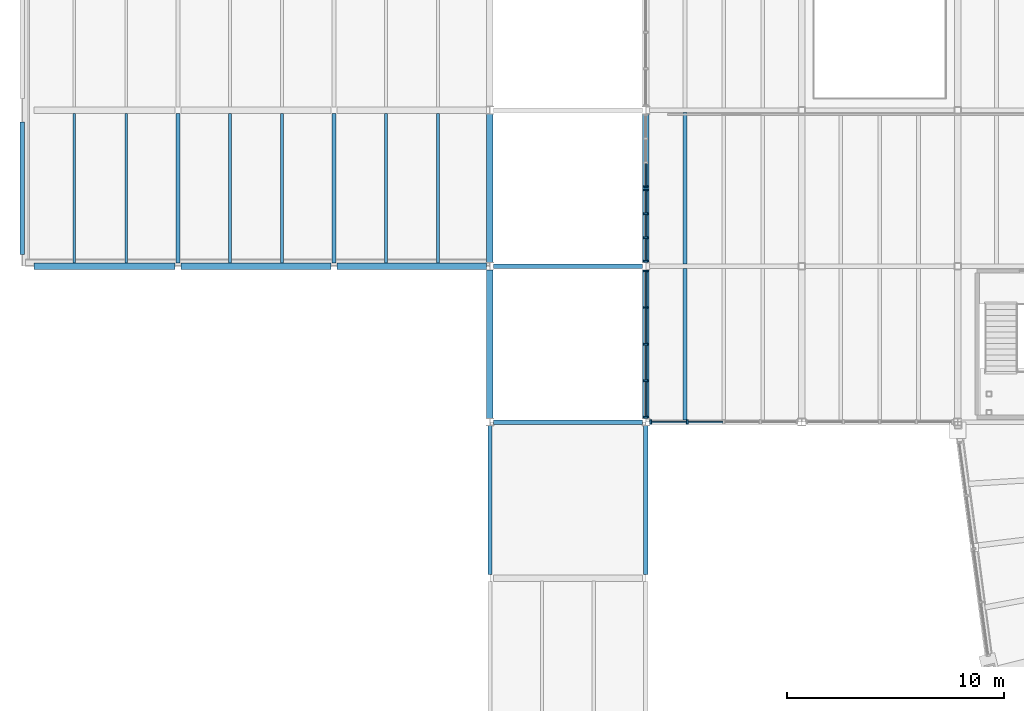
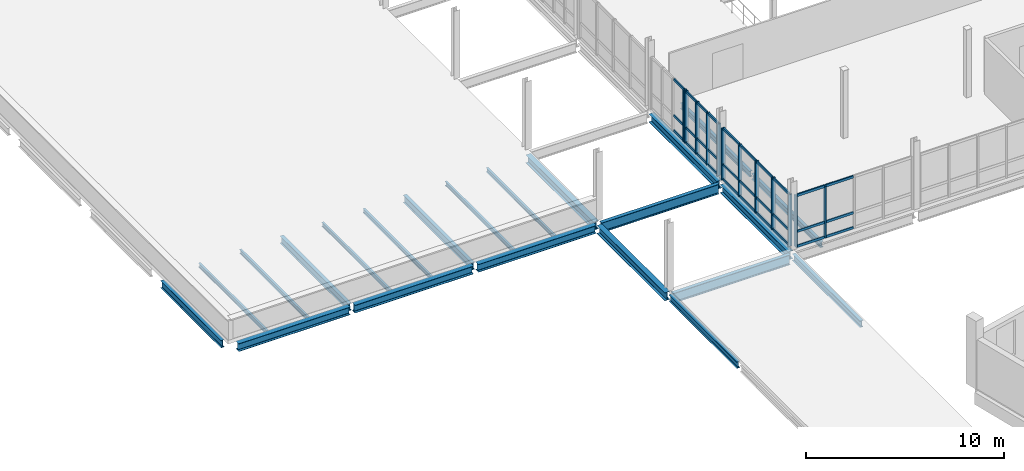
# One storey, part 18 of 72: 42 members, 22 beams, 4 elements without a shape of their own.
"""IFC4 building model written with IfcOpenShell, lengths in metres."""

from ifc_helpers import new_model, si_unit, direction, frame, origin, origin_2d, place, context, subcontext, project, spatial, rectangle, i_section, extrude, material, material_profile, profile_set, type_object, element, aggregate, save


model = new_model("IFC4")

# Units and contexts
model_context = context("Model", 3, precision=1e-05, world=origin(), true_north=direction((0.0, 1.0)))
body_context = subcontext(model_context, "Body", "Model", "MODEL_VIEW")
ifc_project = project(units=[si_unit("LENGTHUNIT", "METRE"), si_unit("AREAUNIT", "SQUARE_METRE"), si_unit("VOLUMEUNIT", "CUBIC_METRE"), si_unit("PLANEANGLEUNIT", "RADIAN"), si_unit("MASSUNIT", "GRAM", prefix="KILO")], contexts=[model_context])

# Site, building, storey
site_placement = place(None, origin())
site = spatial("IfcSite", under=ifc_project, at=site_placement, CompositionType="ELEMENT")
building_placement = place(site_placement, origin())
building = spatial("IfcBuilding", under=site, at=building_placement, Name="Qiaolan Assembly House", CompositionType="ELEMENT")
storey_placement = place(building_placement, frame((0.0, 0.0, 10.199951171875)))
storey = spatial("IfcBuildingStorey", under=building, at=storey_placement, Name="L02", CompositionType="ELEMENT", Elevation=10.199951171875)

# Beams
ifc_material_1 = material(Name="Steel Q355B", Category="steel")
ifc_material_profile_1 = material_profile(ifc_material_1, i_section(OverallWidth=0.300048828125, OverallDepth=0.488037109375, WebThickness=0.010986328125, FlangeThickness=0.01806640625, FilletRadius=0.02001953125, at=origin_2d()), Name="HM 488x300x11x18")
ifc_profile_set_1 = profile_set([ifc_material_profile_1], Name="Steel Q355B")
beam_type_1 = type_object("IfcBeamType", Name="BM-STL-HM488", PredefinedType="BEAM", material=ifc_profile_set_1)
beam_1_placement = place(storey_placement, frame((0.5400390625, 43.199951171875, -0.5439453125), z_axis=(1.0, 0.0, 0.0), x_axis=(0.0, 1.0, 0.0)))
element("IfcBeam", 1, at=beam_1_placement, inside=storey, type_object=beam_type_1, Name="SB-04 beam BMX-PTR-L02-00-00", PredefinedType="BEAM", context=body_context, shape_type="SweptSolid", body=[
    extrude(i_section(OverallWidth=0.300048828125, OverallDepth=0.488037109375, WebThickness=0.010986328125, FlangeThickness=0.01806640625, FilletRadius=0.02001953125, at=origin_2d()), origin(), (0.0, 0.0, 1.0), 6.52001953125),
])
beam_2_placement = place(storey_placement, frame((7.340087890625, 43.199951171875, -0.5439453125), z_axis=(1.0, 0.0, 0.0), x_axis=(0.0, 1.0, 0.0)))
element("IfcBeam", 2, at=beam_2_placement, inside=storey, type_object=beam_type_1, Name="SB-04 beam BMX-PTR-L02-01-00", PredefinedType="BEAM", context=body_context, shape_type="SweptSolid", body=[
    extrude(i_section(OverallWidth=0.300048828125, OverallDepth=0.488037109375, WebThickness=0.010986328125, FlangeThickness=0.01806640625, FilletRadius=0.02001953125, at=origin_2d()), origin(), (0.0, 0.0, 1.0), 6.919921875),
])
beam_3_placement = place(storey_placement, frame((14.5400390625, 43.199951171875, -0.5439453125), z_axis=(1.0, 0.0, 0.0), x_axis=(0.0, 1.0, 0.0)))
element("IfcBeam", 3, at=beam_3_placement, inside=storey, type_object=beam_type_1, Name="SB-04 beam BMX-PTR-L02-02-00", PredefinedType="BEAM", context=body_context, shape_type="SweptSolid", body=[
    extrude(i_section(OverallWidth=0.300048828125, OverallDepth=0.488037109375, WebThickness=0.010986328125, FlangeThickness=0.01806640625, FilletRadius=0.02001953125, at=origin_2d()), origin(), (0.0, 0.0, 1.0), 6.89501953125),
])
ifc_material_profile_2 = material_profile(ifc_material_1, i_section(OverallWidth=0.300048828125, OverallDepth=0.5, WebThickness=0.010986328125, FlangeThickness=0.01806640625, FilletRadius=0.02001953125, at=origin_2d()), Name="HM 500x300x11x18")
ifc_profile_set_2 = profile_set([ifc_material_profile_2], Name="Steel Q355B")
beam_type_2 = type_object("IfcBeamType", Name="BM-STL-HM500", PredefinedType="BEAM", material=ifc_profile_set_2)
beam_4_placement = place(storey_placement, frame((21.60009765625, 36.1650390625, -0.550048828125), z_axis=(0.0, 1.0, 0.0), x_axis=(-1.0, 0.0, 0.0)))
element("IfcBeam", 4, at=beam_4_placement, inside=storey, type_object=beam_type_2, Name="SB-15 beam BMY-HL-L02-00-00", PredefinedType="BEAM", context=body_context, shape_type="SweptSolid", body=[
    extrude(i_section(OverallWidth=0.300048828125, OverallDepth=0.5, WebThickness=0.010986328125, FlangeThickness=0.01806640625, FilletRadius=0.02001953125, at=origin_2d()), origin(), (0.0, 0.0, 1.0), 6.869873046875),
])
beam_5_placement = place(storey_placement, frame((21.60009765625, 43.364990234375, -0.550048828125), z_axis=(0.0, 1.0, 0.0), x_axis=(-1.0, 0.0, 0.0)))
element("IfcBeam", 5, at=beam_5_placement, inside=storey, type_object=beam_type_2, Name="SB-15 beam BMY-HL-L02-00-01", PredefinedType="BEAM", context=body_context, shape_type="SweptSolid", body=[
    extrude(i_section(OverallWidth=0.300048828125, OverallDepth=0.5, WebThickness=0.010986328125, FlangeThickness=0.01806640625, FilletRadius=0.02001953125, at=origin_2d()), origin(), (0.0, 0.0, 1.0), 6.8701171875),
])
beam_6_placement = place(storey_placement, frame((28.800048828125, 36.1650390625, -0.550048828125), z_axis=(0.0, 1.0, 0.0), x_axis=(-1.0, 0.0, 0.0)))
element("IfcBeam", 6, at=beam_6_placement, inside=storey, type_object=beam_type_2, Name="SB-15 beam BMY-HL-L02-01-00", PredefinedType="BEAM", context=body_context, shape_type="SweptSolid", body=[
    extrude(i_section(OverallWidth=0.300048828125, OverallDepth=0.5, WebThickness=0.010986328125, FlangeThickness=0.01806640625, FilletRadius=0.02001953125, at=origin_2d()), origin(), (0.0, 0.0, 1.0), 6.869873046875),
])
beam_7_placement = place(storey_placement, frame((28.800048828125, 43.364990234375, -0.550048828125), z_axis=(0.0, 1.0, 0.0), x_axis=(-1.0, 0.0, 0.0)))
element("IfcBeam", 7, at=beam_7_placement, inside=storey, type_object=beam_type_2, Name="SB-15 beam BMY-HL-L02-01-01", PredefinedType="BEAM", context=body_context, shape_type="SweptSolid", body=[
    extrude(i_section(OverallWidth=0.300048828125, OverallDepth=0.5, WebThickness=0.010986328125, FlangeThickness=0.01806640625, FilletRadius=0.02001953125, at=origin_2d()), origin(), (0.0, 0.0, 1.0), 6.8701171875),
])
ifc_material_profile_3 = material_profile(ifc_material_1, i_section(OverallWidth=0.199951171875, OverallDepth=0.39990234375, WebThickness=0.008056640625, FlangeThickness=0.012939453125, FilletRadius=0.01611328125, at=origin_2d()), Name="HN 400x200x8x13")
ifc_profile_set_3 = profile_set([ifc_material_profile_3], Name="Steel Q355B")
beam_type_3 = type_object("IfcBeamType", Name="BM-STL-HN400", PredefinedType="BEAM", material=ifc_profile_set_3)
for number, where, z_axis, x_axis, name in (
    (8, (21.60009765625, 28.965087890625, -0.425048828125), (0.0, 1.0, 0.0), (-1.0, 0.0, 0.0), "SB-09 beam BMY-PSR-L02-00-04"),
    (9, (28.800048828125, 28.965087890625, -0.425048828125), (0.0, 1.0, 0.0), (-1.0, 0.0, 0.0), "SB-09 beam BMY-PSR-L02-01-04"),
):
    element("IfcBeam", number, at=place(storey_placement, frame(where, z_axis=z_axis, x_axis=x_axis)), inside=storey, type_object=beam_type_3, Name=name, PredefinedType="BEAM", context=body_context, shape_type="SweptSolid", body=[
        extrude(i_section(OverallWidth=0.199951171875, OverallDepth=0.39990234375, WebThickness=0.008056640625, FlangeThickness=0.012939453125, FilletRadius=0.01611328125, at=origin_2d()), origin(), (0.0, 0.0, 1.0), 6.869873046875),
    ])
ifc_material_profile_4 = material_profile(ifc_material_1, i_section(OverallWidth=0.199951171875, OverallDepth=0.449951171875, WebThickness=0.009033203125, FlangeThickness=0.013916015625, FilletRadius=0.01611328125, at=origin_2d()), Name="HN 450x200x9x14")
ifc_profile_set_4 = profile_set([ifc_material_profile_4], Name="Steel Q355B")
beam_type_4 = type_object("IfcBeamType", Name="BM-STL-HN450", PredefinedType="BEAM", material=ifc_profile_set_4)
beam_8_placement = place(storey_placement, frame((0.0, 43.739990234375, -0.52490234375), z_axis=(0.0, 1.0, 0.0), x_axis=(-1.0, 0.0, 0.0)))
element("IfcBeam", 10, at=beam_8_placement, inside=storey, type_object=beam_type_4, Name="SB-07 beam BMY-PTR-L02-00-00", PredefinedType="BEAM", context=body_context, shape_type="SweptSolid", body=[
    extrude(i_section(OverallWidth=0.199951171875, OverallDepth=0.449951171875, WebThickness=0.009033203125, FlangeThickness=0.013916015625, FilletRadius=0.01611328125, at=origin_2d()), origin(), (0.0, 0.0, 1.0), 6.1201171875),
])
for number, where, z_axis, x_axis, name in (
    (11, (7.199951171875, 43.340087890625, -0.52490234375), (0.0, 1.0, 0.0), (-1.0, 0.0, 0.0), "SB-07 beam BMY-PTR-L02-01-00"),
    (12, (14.39990234375, 43.340087890625, -0.52490234375), (0.0, 1.0, 0.0), (-1.0, 0.0, 0.0), "SB-07 beam BMY-PTR-L02-02-00"),
):
    element("IfcBeam", number, at=place(storey_placement, frame(where, z_axis=z_axis, x_axis=x_axis)), inside=storey, type_object=beam_type_4, Name=name, PredefinedType="BEAM", context=body_context, shape_type="SweptSolid", body=[
        extrude(i_section(OverallWidth=0.199951171875, OverallDepth=0.449951171875, WebThickness=0.009033203125, FlangeThickness=0.013916015625, FilletRadius=0.01611328125, at=origin_2d()), origin(), (0.0, 0.0, 1.0), 6.919921875),
    ])
ifc_material_profile_5 = material_profile(ifc_material_1, i_section(OverallWidth=0.2099609375, OverallDepth=0.610107421875, WebThickness=0.010986328125, FlangeThickness=0.01806640625, FilletRadius=0.02001953125, at=origin_2d()), Name="HN 610x210x11x18")
ifc_profile_set_5 = profile_set([ifc_material_profile_5], Name="Steel Q355B")
beam_type_5 = type_object("IfcBeamType", Name="BM-STL-HN610", PredefinedType="BEAM", material=ifc_profile_set_5)
for number, where, z_axis, x_axis, name in (
    (13, (21.764892578125, 36.0, -0.60498046875), (1.0, 0.0, 0.0), (0.0, 1.0, 0.0), "SB-11 beam BMX-HL-L02-00-00"),
    (14, (21.764892578125, 43.199951171875, -0.60498046875), (1.0, 0.0, 0.0), (0.0, 1.0, 0.0), "SB-11 beam BMX-HL-L02-00-01"),
):
    element("IfcBeam", number, at=place(storey_placement, frame(where, z_axis=z_axis, x_axis=x_axis)), inside=storey, type_object=beam_type_5, Name=name, PredefinedType="BEAM", context=body_context, shape_type="SweptSolid", body=[
        extrude(i_section(OverallWidth=0.2099609375, OverallDepth=0.610107421875, WebThickness=0.010986328125, FlangeThickness=0.01806640625, FilletRadius=0.02001953125, at=origin_2d()), origin(), (0.0, 0.0, 1.0), 6.8701171875),
    ])

# Curtain wall, members
ifc_material_2 = material(Name="Anodised bronze aluminium", Category="aluminium")
curtain_wall_type = type_object("IfcCurtainWallType", Name="CW-HALL-UPPER-480", PredefinedType="NOTDEFINED", material=ifc_material_2)
curtain_wall_1_placement = place(storey_placement, origin())
curtain_wall_1 = element("IfcCurtainWall", 15, at=curtain_wall_1_placement, inside=storey, type_object=curtain_wall_type, Name="CW-01 Hall West facade L02-0", PredefinedType="NOTDEFINED")
ifc_material_profile_6 = material_profile(ifc_material_2, rectangle(XDim=0.0859375, YDim=0.199951171875, at=origin_2d()), Name="MUL 86x200")
ifc_profile_set_6 = profile_set([ifc_material_profile_6], Name="Anodised bronze aluminium")
member_type_1 = type_object("IfcMemberType", Name="CW-HALL-UPPER-480-MUL", PredefinedType="MULLION", material=ifc_profile_set_6)
member_1_placement = place(storey_placement, frame((28.800048828125, 36.219970703125, 0.0), z_axis=(0.0, 0.0, 1.0), x_axis=(0.0, 1.0, 0.0)))
member_1 = element("IfcMember", 16, at=member_1_placement, type_object=member_type_1, Name="ML-02 mullion CW-HALL-W-L02-0-1", PredefinedType="MULLION", context=body_context, shape_type="SweptSolid", body=[
    extrude(rectangle(XDim=0.0859375, YDim=0.199951171875, at=origin_2d()), origin(), (0.0, 0.0, 1.0), 3.199951171875),
])
member_2_placement = place(storey_placement, frame((28.800048828125, 37.909912109375, 0.0), z_axis=(0.0, 0.0, 1.0), x_axis=(0.0, 1.0, 0.0)))
member_2 = element("IfcMember", 17, at=member_2_placement, type_object=member_type_1, Name="ML-02 mullion CW-HALL-W-L02-0-2", PredefinedType="MULLION", context=body_context, shape_type="SweptSolid", body=[
    extrude(rectangle(XDim=0.0859375, YDim=0.199951171875, at=origin_2d()), origin(), (0.0, 0.0, 1.0), 3.199951171875),
])
member_3_placement = place(storey_placement, frame((28.800048828125, 39.60009765625, 0.0), z_axis=(0.0, 0.0, 1.0), x_axis=(0.0, 1.0, 0.0)))
member_3 = element("IfcMember", 18, at=member_3_placement, type_object=member_type_1, Name="ML-02 mullion CW-HALL-W-L02-0-3", PredefinedType="MULLION", context=body_context, shape_type="SweptSolid", body=[
    extrude(rectangle(XDim=0.0859375, YDim=0.199951171875, at=origin_2d()), origin(), (0.0, 0.0, 1.0), 3.199951171875),
])
member_4_placement = place(storey_placement, frame((28.800048828125, 41.2900390625, 0.0), z_axis=(0.0, 0.0, 1.0), x_axis=(0.0, 1.0, 0.0)))
member_4 = element("IfcMember", 19, at=member_4_placement, type_object=member_type_1, Name="ML-02 mullion CW-HALL-W-L02-0-4", PredefinedType="MULLION", context=body_context, shape_type="SweptSolid", body=[
    extrude(rectangle(XDim=0.0859375, YDim=0.199951171875, at=origin_2d()), origin(), (0.0, 0.0, 1.0), 3.199951171875),
])
member_5_placement = place(storey_placement, frame((28.800048828125, 42.97998046875, 0.0), z_axis=(0.0, 0.0, 1.0), x_axis=(0.0, 1.0, 0.0)))
member_5 = element("IfcMember", 20, at=member_5_placement, type_object=member_type_1, Name="ML-02 mullion CW-HALL-W-L02-0-5", PredefinedType="MULLION", context=body_context, shape_type="SweptSolid", body=[
    extrude(rectangle(XDim=0.0859375, YDim=0.199951171875, at=origin_2d()), origin(), (0.0, 0.0, 1.0), 3.199951171875),
])

curtain_wall_2_placement = place(storey_placement, origin())
curtain_wall_2 = element("IfcCurtainWall", 21, at=curtain_wall_2_placement, inside=storey, type_object=curtain_wall_type, Name="CW-01 Hall West facade L02-1A", PredefinedType="NOTDEFINED")
member_6_placement = place(storey_placement, frame((28.800048828125, 43.419921875, 0.0), z_axis=(0.0, 0.0, 1.0), x_axis=(0.0, 1.0, 0.0)))
member_6 = element("IfcMember", 22, at=member_6_placement, type_object=member_type_1, Name="ML-02 mullion CW-HALL-W-L02-1A-1", PredefinedType="MULLION", context=body_context, shape_type="SweptSolid", body=[
    extrude(rectangle(XDim=0.0859375, YDim=0.199951171875, at=origin_2d()), origin(), (0.0, 0.0, 1.0), 3.199951171875),
])
member_7_placement = place(storey_placement, frame((28.800048828125, 44.52001953125, 0.0), z_axis=(0.0, 0.0, 1.0), x_axis=(0.0, 1.0, 0.0)))
member_7 = element("IfcMember", 23, at=member_7_placement, type_object=member_type_1, Name="ML-02 mullion CW-HALL-W-L02-1A-2", PredefinedType="MULLION", context=body_context, shape_type="SweptSolid", body=[
    extrude(rectangle(XDim=0.0859375, YDim=0.199951171875, at=origin_2d()), origin(), (0.0, 0.0, 1.0), 3.199951171875),
])
member_8_placement = place(storey_placement, frame((28.800048828125, 45.6201171875, 0.0), z_axis=(0.0, 0.0, 1.0), x_axis=(0.0, 1.0, 0.0)))
member_8 = element("IfcMember", 24, at=member_8_placement, type_object=member_type_1, Name="ML-02 mullion CW-HALL-W-L02-1A-3", PredefinedType="MULLION", context=body_context, shape_type="SweptSolid", body=[
    extrude(rectangle(XDim=0.0859375, YDim=0.199951171875, at=origin_2d()), origin(), (0.0, 0.0, 1.0), 3.199951171875),
])
member_9_placement = place(storey_placement, frame((28.800048828125, 46.719970703125, 0.0), z_axis=(0.0, 0.0, 1.0), x_axis=(0.0, 1.0, 0.0)))
member_9 = element("IfcMember", 25, at=member_9_placement, type_object=member_type_1, Name="ML-02 mullion CW-HALL-W-L02-1A-4", PredefinedType="MULLION", context=body_context, shape_type="SweptSolid", body=[
    extrude(rectangle(XDim=0.0859375, YDim=0.199951171875, at=origin_2d()), origin(), (0.0, 0.0, 1.0), 3.199951171875),
])

# Curtain wall, member
curtain_wall_3_placement = place(storey_placement, origin())
curtain_wall_3 = element("IfcCurtainWall", 26, at=curtain_wall_3_placement, inside=storey, type_object=curtain_wall_type, Name="CW-01 Hall West facade L02-1B", PredefinedType="NOTDEFINED")
member_10_placement = place(storey_placement, frame((28.800048828125, 46.8798828125, 0.0), z_axis=(0.0, 0.0, 1.0), x_axis=(0.0, 1.0, 0.0)))
member_10 = element("IfcMember", 27, at=member_10_placement, type_object=member_type_1, Name="ML-02 mullion CW-HALL-W-L02-1B-1", PredefinedType="MULLION", context=body_context, shape_type="SweptSolid", body=[
    extrude(rectangle(XDim=0.0859375, YDim=0.199951171875, at=origin_2d()), origin(), (0.0, 0.0, 1.0), 3.199951171875),
])

# Curtain wall, members
curtain_wall_4_placement = place(storey_placement, origin())
curtain_wall_4 = element("IfcCurtainWall", 28, at=curtain_wall_4_placement, inside=storey, type_object=curtain_wall_type, Name="CW-01 Hall South plaza curtain wall L02-1", PredefinedType="NOTDEFINED")
member_11_placement = place(storey_placement, frame((29.02001953125, 36.0, 0.0), z_axis=(0.0, 0.0, 1.0), x_axis=(1.0, 0.0, 0.0)))
member_11 = element("IfcMember", 29, at=member_11_placement, type_object=member_type_1, Name="ML-02 mullion CW-HALL-S-L02-00-1", PredefinedType="MULLION", context=body_context, shape_type="SweptSolid", body=[
    extrude(rectangle(XDim=0.0859375, YDim=0.199951171875, at=origin_2d()), origin(), (0.0, 0.0, 1.0), 3.199951171875),
])
member_12_placement = place(storey_placement, frame((30.7099609375, 36.0, 0.0), z_axis=(0.0, 0.0, 1.0), x_axis=(1.0, 0.0, 0.0)))
member_12 = element("IfcMember", 30, at=member_12_placement, type_object=member_type_1, Name="ML-02 mullion CW-HALL-S-L02-00-2", PredefinedType="MULLION", context=body_context, shape_type="SweptSolid", body=[
    extrude(rectangle(XDim=0.0859375, YDim=0.199951171875, at=origin_2d()), origin(), (0.0, 0.0, 1.0), 3.199951171875),
])

# Member
ifc_material_profile_7 = material_profile(ifc_material_2, rectangle(XDim=0.075927734375, YDim=0.14990234375, at=origin_2d()), Name="TRN 76x150")
ifc_profile_set_7 = profile_set([ifc_material_profile_7], Name="Anodised bronze aluminium")
member_type_2 = type_object("IfcMemberType", Name="CW-HALL-UPPER-480-TRN", PredefinedType="USERDEFINED", material=ifc_profile_set_7)
member_13_placement = place(storey_placement, frame((28.800048828125, 36.262939453125, 0.030029296875), z_axis=(0.0, 1.0, 0.0), x_axis=(-1.0, 0.0, 0.0)))
member_13 = element("IfcMember", 31, at=member_13_placement, type_object=member_type_2, Name="TR-02 transom CW-HALL-W-L02-0-1-1", ObjectType="TRANSOM", PredefinedType="USERDEFINED", context=body_context, shape_type="SweptSolid", body=[
    extrude(rectangle(XDim=0.075927734375, YDim=0.14990234375, at=origin_2d()), origin(), (0.0, 0.0, 1.0), 1.60400390625),
])

member_14_placement = place(storey_placement, frame((28.800048828125, 36.262939453125, 0.949951171875), z_axis=(0.0, 1.0, 0.0), x_axis=(-1.0, 0.0, 0.0)))
member_14 = element("IfcMember", 32, at=member_14_placement, type_object=member_type_2, Name="TR-02 transom CW-HALL-W-L02-0-1-2", ObjectType="TRANSOM", PredefinedType="USERDEFINED", context=body_context, shape_type="SweptSolid", body=[
    extrude(rectangle(XDim=0.075927734375, YDim=0.14990234375, at=origin_2d()), origin(), (0.0, 0.0, 1.0), 1.60400390625),
])

member_15_placement = place(storey_placement, frame((28.800048828125, 36.262939453125, 3.170166015625), z_axis=(0.0, 1.0, 0.0), x_axis=(-1.0, 0.0, 0.0)))
member_15 = element("IfcMember", 33, at=member_15_placement, type_object=member_type_2, Name="TR-02 transom CW-HALL-W-L02-0-1-3", ObjectType="TRANSOM", PredefinedType="USERDEFINED", context=body_context, shape_type="SweptSolid", body=[
    extrude(rectangle(XDim=0.075927734375, YDim=0.14990234375, at=origin_2d()), origin(), (0.0, 0.0, 1.0), 1.60400390625),
])

member_16_placement = place(storey_placement, frame((28.800048828125, 37.952880859375, 0.030029296875), z_axis=(0.0, 1.0, 0.0), x_axis=(-1.0, 0.0, 0.0)))
member_16 = element("IfcMember", 34, at=member_16_placement, type_object=member_type_2, Name="TR-02 transom CW-HALL-W-L02-0-2-1", ObjectType="TRANSOM", PredefinedType="USERDEFINED", context=body_context, shape_type="SweptSolid", body=[
    extrude(rectangle(XDim=0.075927734375, YDim=0.14990234375, at=origin_2d()), origin(), (0.0, 0.0, 1.0), 1.60400390625),
])

member_17_placement = place(storey_placement, frame((28.800048828125, 37.952880859375, 0.949951171875), z_axis=(0.0, 1.0, 0.0), x_axis=(-1.0, 0.0, 0.0)))
member_17 = element("IfcMember", 35, at=member_17_placement, type_object=member_type_2, Name="TR-02 transom CW-HALL-W-L02-0-2-2", ObjectType="TRANSOM", PredefinedType="USERDEFINED", context=body_context, shape_type="SweptSolid", body=[
    extrude(rectangle(XDim=0.075927734375, YDim=0.14990234375, at=origin_2d()), origin(), (0.0, 0.0, 1.0), 1.60400390625),
])

member_18_placement = place(storey_placement, frame((28.800048828125, 37.952880859375, 3.170166015625), z_axis=(0.0, 1.0, 0.0), x_axis=(-1.0, 0.0, 0.0)))
member_18 = element("IfcMember", 36, at=member_18_placement, type_object=member_type_2, Name="TR-02 transom CW-HALL-W-L02-0-2-3", ObjectType="TRANSOM", PredefinedType="USERDEFINED", context=body_context, shape_type="SweptSolid", body=[
    extrude(rectangle(XDim=0.075927734375, YDim=0.14990234375, at=origin_2d()), origin(), (0.0, 0.0, 1.0), 1.60400390625),
])

member_19_placement = place(storey_placement, frame((28.800048828125, 39.64306640625, 0.030029296875), z_axis=(0.0, 1.0, 0.0), x_axis=(-1.0, 0.0, 0.0)))
member_19 = element("IfcMember", 37, at=member_19_placement, type_object=member_type_2, Name="TR-02 transom CW-HALL-W-L02-0-3-1", ObjectType="TRANSOM", PredefinedType="USERDEFINED", context=body_context, shape_type="SweptSolid", body=[
    extrude(rectangle(XDim=0.075927734375, YDim=0.14990234375, at=origin_2d()), origin(), (0.0, 0.0, 1.0), 1.60400390625),
])

member_20_placement = place(storey_placement, frame((28.800048828125, 39.64306640625, 0.949951171875), z_axis=(0.0, 1.0, 0.0), x_axis=(-1.0, 0.0, 0.0)))
member_20 = element("IfcMember", 38, at=member_20_placement, type_object=member_type_2, Name="TR-02 transom CW-HALL-W-L02-0-3-2", ObjectType="TRANSOM", PredefinedType="USERDEFINED", context=body_context, shape_type="SweptSolid", body=[
    extrude(rectangle(XDim=0.075927734375, YDim=0.14990234375, at=origin_2d()), origin(), (0.0, 0.0, 1.0), 1.60400390625),
])

member_21_placement = place(storey_placement, frame((28.800048828125, 39.64306640625, 3.170166015625), z_axis=(0.0, 1.0, 0.0), x_axis=(-1.0, 0.0, 0.0)))
member_21 = element("IfcMember", 39, at=member_21_placement, type_object=member_type_2, Name="TR-02 transom CW-HALL-W-L02-0-3-3", ObjectType="TRANSOM", PredefinedType="USERDEFINED", context=body_context, shape_type="SweptSolid", body=[
    extrude(rectangle(XDim=0.075927734375, YDim=0.14990234375, at=origin_2d()), origin(), (0.0, 0.0, 1.0), 1.60400390625),
])

member_22_placement = place(storey_placement, frame((28.800048828125, 41.3330078125, 0.030029296875), z_axis=(0.0, 1.0, 0.0), x_axis=(-1.0, 0.0, 0.0)))
member_22 = element("IfcMember", 40, at=member_22_placement, type_object=member_type_2, Name="TR-02 transom CW-HALL-W-L02-0-4-1", ObjectType="TRANSOM", PredefinedType="USERDEFINED", context=body_context, shape_type="SweptSolid", body=[
    extrude(rectangle(XDim=0.075927734375, YDim=0.14990234375, at=origin_2d()), origin(), (0.0, 0.0, 1.0), 1.60400390625),
])

member_23_placement = place(storey_placement, frame((28.800048828125, 41.3330078125, 0.949951171875), z_axis=(0.0, 1.0, 0.0), x_axis=(-1.0, 0.0, 0.0)))
member_23 = element("IfcMember", 41, at=member_23_placement, type_object=member_type_2, Name="TR-02 transom CW-HALL-W-L02-0-4-2", ObjectType="TRANSOM", PredefinedType="USERDEFINED", context=body_context, shape_type="SweptSolid", body=[
    extrude(rectangle(XDim=0.075927734375, YDim=0.14990234375, at=origin_2d()), origin(), (0.0, 0.0, 1.0), 1.60400390625),
])

member_24_placement = place(storey_placement, frame((28.800048828125, 41.3330078125, 3.170166015625), z_axis=(0.0, 1.0, 0.0), x_axis=(-1.0, 0.0, 0.0)))
member_24 = element("IfcMember", 42, at=member_24_placement, type_object=member_type_2, Name="TR-02 transom CW-HALL-W-L02-0-4-3", ObjectType="TRANSOM", PredefinedType="USERDEFINED", context=body_context, shape_type="SweptSolid", body=[
    extrude(rectangle(XDim=0.075927734375, YDim=0.14990234375, at=origin_2d()), origin(), (0.0, 0.0, 1.0), 1.60400390625),
])

aggregate(curtain_wall_1, [member_1, member_2, member_3, member_4, member_5, member_13, member_14, member_15, member_16, member_17, member_18, member_19, member_20, member_21, member_22, member_23, member_24])

member_25_placement = place(storey_placement, frame((28.800048828125, 43.462890625, 0.030029296875), z_axis=(0.0, 1.0, 0.0), x_axis=(-1.0, 0.0, 0.0)))
member_25 = element("IfcMember", 43, at=member_25_placement, type_object=member_type_2, Name="TR-02 transom CW-HALL-W-L02-1A-1-1", ObjectType="TRANSOM", PredefinedType="USERDEFINED", context=body_context, shape_type="SweptSolid", body=[
    extrude(rectangle(XDim=0.075927734375, YDim=0.14990234375, at=origin_2d()), origin(), (0.0, 0.0, 1.0), 1.01416015625),
])

member_26_placement = place(storey_placement, frame((28.800048828125, 43.462890625, 0.949951171875), z_axis=(0.0, 1.0, 0.0), x_axis=(-1.0, 0.0, 0.0)))
member_26 = element("IfcMember", 44, at=member_26_placement, type_object=member_type_2, Name="TR-02 transom CW-HALL-W-L02-1A-1-2", ObjectType="TRANSOM", PredefinedType="USERDEFINED", context=body_context, shape_type="SweptSolid", body=[
    extrude(rectangle(XDim=0.075927734375, YDim=0.14990234375, at=origin_2d()), origin(), (0.0, 0.0, 1.0), 1.01416015625),
])

member_27_placement = place(storey_placement, frame((28.800048828125, 43.462890625, 3.170166015625), z_axis=(0.0, 1.0, 0.0), x_axis=(-1.0, 0.0, 0.0)))
member_27 = element("IfcMember", 45, at=member_27_placement, type_object=member_type_2, Name="TR-02 transom CW-HALL-W-L02-1A-1-3", ObjectType="TRANSOM", PredefinedType="USERDEFINED", context=body_context, shape_type="SweptSolid", body=[
    extrude(rectangle(XDim=0.075927734375, YDim=0.14990234375, at=origin_2d()), origin(), (0.0, 0.0, 1.0), 1.01416015625),
])

member_28_placement = place(storey_placement, frame((28.800048828125, 44.56298828125, 0.030029296875), z_axis=(0.0, 1.0, 0.0), x_axis=(-1.0, 0.0, 0.0)))
member_28 = element("IfcMember", 46, at=member_28_placement, type_object=member_type_2, Name="TR-02 transom CW-HALL-W-L02-1A-2-1", ObjectType="TRANSOM", PredefinedType="USERDEFINED", context=body_context, shape_type="SweptSolid", body=[
    extrude(rectangle(XDim=0.075927734375, YDim=0.14990234375, at=origin_2d()), origin(), (0.0, 0.0, 1.0), 1.013916015625),
])

member_29_placement = place(storey_placement, frame((28.800048828125, 44.56298828125, 0.949951171875), z_axis=(0.0, 1.0, 0.0), x_axis=(-1.0, 0.0, 0.0)))
member_29 = element("IfcMember", 47, at=member_29_placement, type_object=member_type_2, Name="TR-02 transom CW-HALL-W-L02-1A-2-2", ObjectType="TRANSOM", PredefinedType="USERDEFINED", context=body_context, shape_type="SweptSolid", body=[
    extrude(rectangle(XDim=0.075927734375, YDim=0.14990234375, at=origin_2d()), origin(), (0.0, 0.0, 1.0), 1.013916015625),
])

member_30_placement = place(storey_placement, frame((28.800048828125, 44.56298828125, 3.170166015625), z_axis=(0.0, 1.0, 0.0), x_axis=(-1.0, 0.0, 0.0)))
member_30 = element("IfcMember", 48, at=member_30_placement, type_object=member_type_2, Name="TR-02 transom CW-HALL-W-L02-1A-2-3", ObjectType="TRANSOM", PredefinedType="USERDEFINED", context=body_context, shape_type="SweptSolid", body=[
    extrude(rectangle(XDim=0.075927734375, YDim=0.14990234375, at=origin_2d()), origin(), (0.0, 0.0, 1.0), 1.013916015625),
])

member_31_placement = place(storey_placement, frame((28.800048828125, 45.6630859375, 0.030029296875), z_axis=(0.0, 1.0, 0.0), x_axis=(-1.0, 0.0, 0.0)))
member_31 = element("IfcMember", 49, at=member_31_placement, type_object=member_type_2, Name="TR-02 transom CW-HALL-W-L02-1A-3-1", ObjectType="TRANSOM", PredefinedType="USERDEFINED", context=body_context, shape_type="SweptSolid", body=[
    extrude(rectangle(XDim=0.075927734375, YDim=0.14990234375, at=origin_2d()), origin(), (0.0, 0.0, 1.0), 1.013916015625),
])

member_32_placement = place(storey_placement, frame((28.800048828125, 45.6630859375, 0.949951171875), z_axis=(0.0, 1.0, 0.0), x_axis=(-1.0, 0.0, 0.0)))
member_32 = element("IfcMember", 50, at=member_32_placement, type_object=member_type_2, Name="TR-02 transom CW-HALL-W-L02-1A-3-2", ObjectType="TRANSOM", PredefinedType="USERDEFINED", context=body_context, shape_type="SweptSolid", body=[
    extrude(rectangle(XDim=0.075927734375, YDim=0.14990234375, at=origin_2d()), origin(), (0.0, 0.0, 1.0), 1.013916015625),
])

member_33_placement = place(storey_placement, frame((28.800048828125, 45.6630859375, 3.170166015625), z_axis=(0.0, 1.0, 0.0), x_axis=(-1.0, 0.0, 0.0)))
member_33 = element("IfcMember", 51, at=member_33_placement, type_object=member_type_2, Name="TR-02 transom CW-HALL-W-L02-1A-3-3", ObjectType="TRANSOM", PredefinedType="USERDEFINED", context=body_context, shape_type="SweptSolid", body=[
    extrude(rectangle(XDim=0.075927734375, YDim=0.14990234375, at=origin_2d()), origin(), (0.0, 0.0, 1.0), 1.013916015625),
])

aggregate(curtain_wall_2, [member_6, member_7, member_8, member_9, member_25, member_26, member_27, member_28, member_29, member_30, member_31, member_32, member_33])

member_34_placement = place(storey_placement, frame((28.800048828125, 46.923095703125, 0.030029296875), z_axis=(0.0, 1.0, 0.0), x_axis=(-1.0, 0.0, 0.0)))
member_34 = element("IfcMember", 52, at=member_34_placement, type_object=member_type_2, Name="TR-02 transom CW-HALL-W-L02-1B-1-1", ObjectType="TRANSOM", PredefinedType="USERDEFINED", context=body_context, shape_type="SweptSolid", body=[
    extrude(rectangle(XDim=0.075927734375, YDim=0.14990234375, at=origin_2d()), origin(), (0.0, 0.0, 1.0), 1.013916015625),
])

member_35_placement = place(storey_placement, frame((28.800048828125, 46.923095703125, 0.949951171875), z_axis=(0.0, 1.0, 0.0), x_axis=(-1.0, 0.0, 0.0)))
member_35 = element("IfcMember", 53, at=member_35_placement, type_object=member_type_2, Name="TR-02 transom CW-HALL-W-L02-1B-1-2", ObjectType="TRANSOM", PredefinedType="USERDEFINED", context=body_context, shape_type="SweptSolid", body=[
    extrude(rectangle(XDim=0.075927734375, YDim=0.14990234375, at=origin_2d()), origin(), (0.0, 0.0, 1.0), 1.013916015625),
])

member_36_placement = place(storey_placement, frame((28.800048828125, 46.923095703125, 3.170166015625), z_axis=(0.0, 1.0, 0.0), x_axis=(-1.0, 0.0, 0.0)))
member_36 = element("IfcMember", 54, at=member_36_placement, type_object=member_type_2, Name="TR-02 transom CW-HALL-W-L02-1B-1-3", ObjectType="TRANSOM", PredefinedType="USERDEFINED", context=body_context, shape_type="SweptSolid", body=[
    extrude(rectangle(XDim=0.075927734375, YDim=0.14990234375, at=origin_2d()), origin(), (0.0, 0.0, 1.0), 1.013916015625),
])

aggregate(curtain_wall_3, [member_10, member_34, member_35, member_36])

member_37_placement = place(storey_placement, frame((29.06298828125, 36.0, 0.030029296875), z_axis=(1.0, 0.0, 0.0), x_axis=(0.0, 1.0, 0.0)))
member_37 = element("IfcMember", 55, at=member_37_placement, type_object=member_type_2, Name="TR-02 transom CW-HALL-S-L02-00-1-1", ObjectType="TRANSOM", PredefinedType="USERDEFINED", context=body_context, shape_type="SweptSolid", body=[
    extrude(rectangle(XDim=0.075927734375, YDim=0.14990234375, at=origin_2d()), origin(), (0.0, 0.0, 1.0), 1.60400390625),
])

member_38_placement = place(storey_placement, frame((29.06298828125, 36.0, 0.949951171875), z_axis=(1.0, 0.0, 0.0), x_axis=(0.0, 1.0, 0.0)))
member_38 = element("IfcMember", 56, at=member_38_placement, type_object=member_type_2, Name="TR-02 transom CW-HALL-S-L02-00-1-2", ObjectType="TRANSOM", PredefinedType="USERDEFINED", context=body_context, shape_type="SweptSolid", body=[
    extrude(rectangle(XDim=0.075927734375, YDim=0.14990234375, at=origin_2d()), origin(), (0.0, 0.0, 1.0), 1.60400390625),
])

member_39_placement = place(storey_placement, frame((29.06298828125, 36.0, 3.170166015625), z_axis=(1.0, 0.0, 0.0), x_axis=(0.0, 1.0, 0.0)))
member_39 = element("IfcMember", 57, at=member_39_placement, type_object=member_type_2, Name="TR-02 transom CW-HALL-S-L02-00-1-3", ObjectType="TRANSOM", PredefinedType="USERDEFINED", context=body_context, shape_type="SweptSolid", body=[
    extrude(rectangle(XDim=0.075927734375, YDim=0.14990234375, at=origin_2d()), origin(), (0.0, 0.0, 1.0), 1.60400390625),
])

member_40_placement = place(storey_placement, frame((30.7529296875, 36.0, 0.030029296875), z_axis=(1.0, 0.0, 0.0), x_axis=(0.0, 1.0, 0.0)))
member_40 = element("IfcMember", 58, at=member_40_placement, type_object=member_type_2, Name="TR-02 transom CW-HALL-S-L02-00-2-1", ObjectType="TRANSOM", PredefinedType="USERDEFINED", context=body_context, shape_type="SweptSolid", body=[
    extrude(rectangle(XDim=0.075927734375, YDim=0.14990234375, at=origin_2d()), origin(), (0.0, 0.0, 1.0), 1.60400390625),
])

member_41_placement = place(storey_placement, frame((30.7529296875, 36.0, 0.949951171875), z_axis=(1.0, 0.0, 0.0), x_axis=(0.0, 1.0, 0.0)))
member_41 = element("IfcMember", 59, at=member_41_placement, type_object=member_type_2, Name="TR-02 transom CW-HALL-S-L02-00-2-2", ObjectType="TRANSOM", PredefinedType="USERDEFINED", context=body_context, shape_type="SweptSolid", body=[
    extrude(rectangle(XDim=0.075927734375, YDim=0.14990234375, at=origin_2d()), origin(), (0.0, 0.0, 1.0), 1.60400390625),
])

member_42_placement = place(storey_placement, frame((30.7529296875, 36.0, 3.170166015625), z_axis=(1.0, 0.0, 0.0), x_axis=(0.0, 1.0, 0.0)))
member_42 = element("IfcMember", 60, at=member_42_placement, type_object=member_type_2, Name="TR-02 transom CW-HALL-S-L02-00-2-3", ObjectType="TRANSOM", PredefinedType="USERDEFINED", context=body_context, shape_type="SweptSolid", body=[
    extrude(rectangle(XDim=0.075927734375, YDim=0.14990234375, at=origin_2d()), origin(), (0.0, 0.0, 1.0), 1.60400390625),
])

aggregate(curtain_wall_4, [member_11, member_12, member_37, member_38, member_39, member_40, member_41, member_42])

# Beams
ifc_material_profile_8 = material_profile(ifc_material_1, i_section(OverallWidth=0.179931640625, OverallDepth=0.35498046875, WebThickness=0.007568359375, FlangeThickness=0.011474609375, FilletRadius=0.013916015625, at=origin_2d()), Name="HM 355x180x7.5x11.5")
ifc_profile_set_8 = profile_set([ifc_material_profile_8], Name="Steel Q355B")
beam_type_6 = type_object("IfcBeamType", Name="JST-STL-HM355", PredefinedType="JOIST", material=ifc_profile_set_8)
for number, where, z_axis, x_axis, name in (
    (61, (30.60009765625, 36.09912109375, -0.4775390625), (0.0, 1.0, 0.0), (-1.0, 0.0, 0.0), "SJ-04 beam JST-HL-L02-01-00-1"),
    (62, (30.60009765625, 43.299072265625, -0.4775390625), (0.0, 1.0, 0.0), (-1.0, 0.0, 0.0), "SJ-04 beam JST-HL-L02-01-01-1"),
):
    element("IfcBeam", number, at=place(storey_placement, frame(where, z_axis=z_axis, x_axis=x_axis)), inside=storey, type_object=beam_type_6, Name=name, PredefinedType="JOIST", context=body_context, shape_type="SweptSolid", body=[
        extrude(i_section(OverallWidth=0.179931640625, OverallDepth=0.35498046875, WebThickness=0.007568359375, FlangeThickness=0.011474609375, FilletRadius=0.013916015625, at=origin_2d()), origin(), (0.0, 0.0, 1.0), 7.001953125),
    ])
ifc_material_profile_9 = material_profile(ifc_material_1, i_section(OverallWidth=0.125, OverallDepth=0.25, WebThickness=0.006103515625, FlangeThickness=0.009033203125, FilletRadius=0.011962890625, at=origin_2d()), Name="HN 250x125x6x9")
ifc_profile_set_9 = profile_set([ifc_material_profile_9], Name="Steel Q355B")
beam_type_7 = type_object("IfcBeamType", Name="JST-STL-HN250", PredefinedType="JOIST", material=ifc_profile_set_9)
for number, where, z_axis, x_axis, name in (
    (63, (2.39990234375, 43.343994140625, -0.425048828125), (0.0, 1.0, 0.0), (-1.0, 0.0, 0.0), "SJ-03 beam JST-PTR-L02-00-00-1"),
    (64, (4.800048828125, 43.343994140625, -0.425048828125), (0.0, 1.0, 0.0), (-1.0, 0.0, 0.0), "SJ-03 beam JST-PTR-L02-00-00-2"),
    (65, (9.60009765625, 43.343994140625, -0.425048828125), (0.0, 1.0, 0.0), (-1.0, 0.0, 0.0), "SJ-03 beam JST-PTR-L02-01-00-1"),
    (66, (12.0, 43.343994140625, -0.425048828125), (0.0, 1.0, 0.0), (-1.0, 0.0, 0.0), "SJ-03 beam JST-PTR-L02-01-00-2"),
    (67, (16.800048828125, 43.343994140625, -0.425048828125), (0.0, 1.0, 0.0), (-1.0, 0.0, 0.0), "SJ-03 beam JST-PTR-L02-02-00-1"),
    (68, (19.199951171875, 43.343994140625, -0.425048828125), (0.0, 1.0, 0.0), (-1.0, 0.0, 0.0), "SJ-03 beam JST-PTR-L02-02-00-2"),
):
    element("IfcBeam", number, at=place(storey_placement, frame(where, z_axis=z_axis, x_axis=x_axis)), inside=storey, type_object=beam_type_7, Name=name, PredefinedType="JOIST", context=body_context, shape_type="SweptSolid", body=[
        extrude(i_section(OverallWidth=0.125, OverallDepth=0.25, WebThickness=0.006103515625, FlangeThickness=0.009033203125, FilletRadius=0.011962890625, at=origin_2d()), origin(), (0.0, 0.0, 1.0), 6.912109375),
    ])

save(model, "model.ifc")
